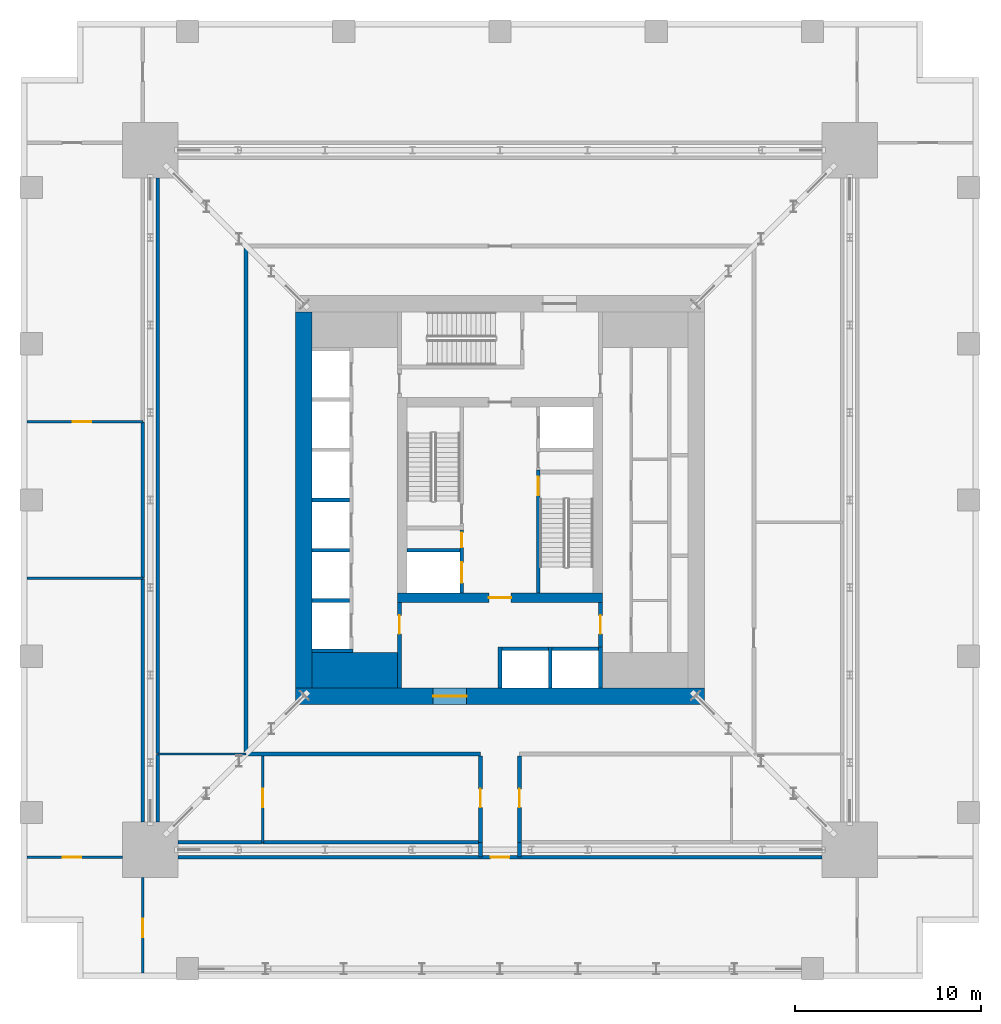
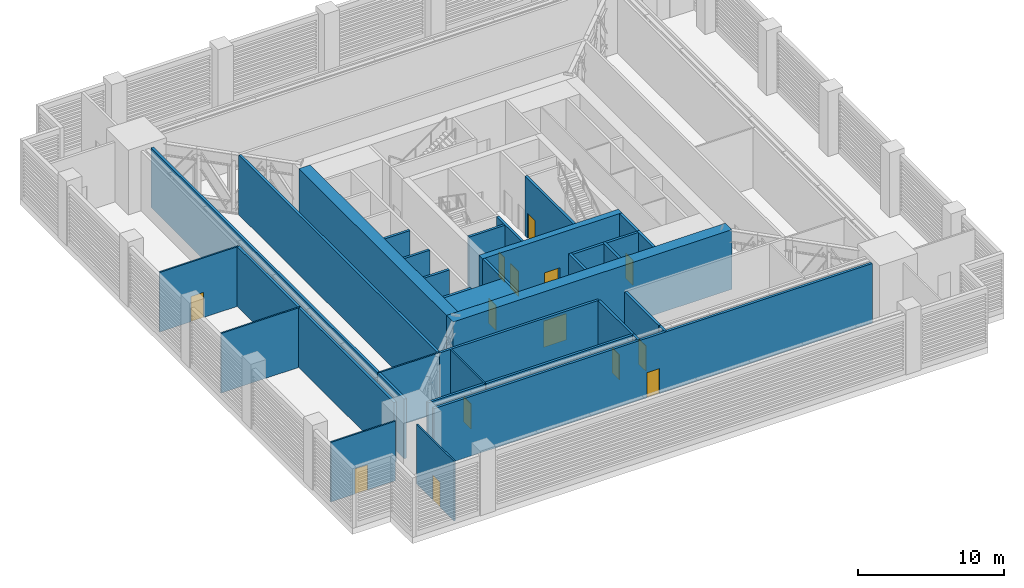
# One storey, part 9 of 17: 37 walls, 14 doors, 14 openings.
"""IFC4 building model written with IfcOpenShell, lengths in metres."""

from ifc_helpers import new_model, si_unit, direction, frame, frame_2d, origin, place, context, subcontext, project, spatial, rectangle, extrude, material, layer, layer_set, type_object, element, fill, save


model = new_model("IFC4")

# Units and contexts
model_context = context("Model", 3, precision=1e-05, world=origin(), true_north=direction((0.0, 1.0)))
body_context = subcontext(model_context, "Body", "Model", "MODEL_VIEW")
ifc_project = project(units=[si_unit("LENGTHUNIT", "METRE"), si_unit("AREAUNIT", "SQUARE_METRE"), si_unit("VOLUMEUNIT", "CUBIC_METRE"), si_unit("PLANEANGLEUNIT", "RADIAN"), si_unit("MASSUNIT", "GRAM", prefix="KILO")], contexts=[model_context])

# Site, building, storey
site_placement = place(None, origin())
site = spatial("IfcSite", under=ifc_project, at=site_placement, CompositionType="ELEMENT")
building_placement = place(site_placement, origin())
building = spatial("IfcBuilding", under=site, at=building_placement, Name="Khepri Terraces", CompositionType="ELEMENT")
storey_placement = place(building_placement, frame((0.0, 0.0, 73.800048828125)))
storey = spatial("IfcBuildingStorey", under=building, at=storey_placement, Name="L17", CompositionType="ELEMENT", Elevation=73.800048828125)

# Wall
ifc_material_1 = material(Name="Concrete C80/95", Category="concrete")
ifc_layer_1 = layer(ifc_material_1, 1.89990234375, Name="Concrete C80/95", Category="concrete")
ifc_layer_set_1 = layer_set([ifc_layer_1], Name="Concrete C80/95")
wall_type_1 = type_object("IfcWallType", Name="Core wall 1900 C80/95", PredefinedType="SHEAR", material=ifc_layer_set_1)
wall_1_placement = place(storey_placement, frame((-10.10009765625, -9.14990234375, 0.0), z_axis=(0.0, 0.0, 1.0), x_axis=(1.0, 0.0, 0.0)))
element("IfcWall", 1, at=wall_1_placement, inside=storey, type_object=wall_type_1, Name="Core wall PR01 L17", PredefinedType="SHEAR", context=body_context, shape_type="SweptSolid", body=[
    extrude(rectangle(XDim=4.60009765625, YDim=1.89990234375, at=frame_2d((2.300048828125, 0.0))), origin(), (0.0, 0.0, 1.0), 4.97998046875),
])

# Wall, opening, door
ifc_layer_2 = layer(ifc_material_1, 0.199951171875, Name="Concrete C80/95", Category="concrete")
ifc_layer_set_2 = layer_set([ifc_layer_2], Name="Concrete C80/95")
wall_type_2 = type_object("IfcWallType", Name="Core wall 200 C80/95", PredefinedType="SHEAR", material=ifc_layer_set_2)
wall_2_placement = place(storey_placement, frame((2.050048828125, -5.0, 0.0), z_axis=(0.0, 0.0, 1.0), x_axis=(0.0, 1.0, 0.0)))
wall_2 = element("IfcWall", 2, at=wall_2_placement, inside=storey, type_object=wall_type_2, Name="Core wall ST01 L17", PredefinedType="SHEAR", context=body_context, shape_type="SweptSolid", body=[
    extrude(rectangle(XDim=6.60009765625, YDim=0.199951171875, at=frame_2d((3.300048828125, 0.0))), origin(), (0.0, 0.0, 1.0), 4.97998046875),
])
opening_1_placement = place(wall_2_placement, frame((5.25, 0.0, 0.0)))
opening_1 = element("IfcOpeningElement", 3, at=opening_1_placement, cuts=wall_2, Name="Opening L17-C10", PredefinedType="OPENING", context=body_context, shape_type="SweptSolid", body=[
    extrude(rectangle(XDim=1.0, YDim=2.10009765625, at=frame_2d((0.5, 1.050048828125))), frame((0.0, 0.10986328125, 0.0), z_axis=(0.0, -1.0, 0.0), x_axis=(1.0, 0.0, 0.0)), (0.0, 0.0, 1.0), 0.219970703125),
])
ifc_material_2 = material(Name="Painted steel", Category="steel")
door_type_1 = type_object("IfcDoorType", Name="DR-CORE-STAIR-1000", OperationType="NOTDEFINED", PredefinedType="DOOR", material=ifc_material_2)
door_1_placement = place(opening_1_placement, frame((1.0, 0.0, 0.0), z_axis=(0.0, 0.0, 1.0), x_axis=(-1.0, 0.0, 0.0)))
door_1 = element("IfcDoor", 4, at=door_1_placement, inside=storey, type_object=door_type_1, Name="Stair door L17-C10", OperationType="SINGLE_SWING_LEFT", OverallHeight=2.10009765625, OverallWidth=1.0, PredefinedType="DOOR", context=body_context, shape_type="SweptSolid", body=[
    extrude(rectangle(XDim=1.0, YDim=2.10009765625, at=frame_2d((0.5, 1.050048828125))), frame((0.0, 0.02490234375, 0.0), z_axis=(0.0, -1.0, 0.0), x_axis=(1.0, 0.0, 0.0)), (0.0, 0.0, 1.0), 0.050048828125),
])
fill(opening_1, door_1)

# Walls
for number, where, z_axis, x_axis, name in (
    (5, (0.0, -10.10009765625, 0.0), (0.0, 0.0, 1.0), (0.0, 1.0, 0.0), "Core wall SH01 L17"),
    (6, (2.699951171875, -10.10009765625, 0.0), (0.0, 0.0, 1.0), (0.0, 1.0, 0.0), "Core wall SH02 L17"),
    (7, (5.39990234375, -10.10009765625, 0.0), (0.0, 0.0, 1.0), (0.0, 1.0, 0.0), "Core wall SH03 L17"),
    (8, (-10.10009765625, -8.10009765625, 0.0), (0.0, 0.0, 1.0), (1.0, 0.0, 0.0), "Core wall SH04 L17"),
):
    element("IfcWall", number, at=place(storey_placement, frame(where, z_axis=z_axis, x_axis=x_axis)), inside=storey, type_object=wall_type_2, Name=name, PredefinedType="SHEAR", context=body_context, shape_type="SweptSolid", body=[
        extrude(rectangle(XDim=2.2001953125, YDim=0.199951171875, at=frame_2d((1.10009765625, 0.0))), origin(), (0.0, 0.0, 1.0), 4.97998046875),
    ])
for number, where, z_axis, x_axis, name in (
    (9, (0.10009765625, -8.0, 0.0), (0.0, 0.0, 1.0), (1.0, 0.0, 0.0), "Core wall SH06 L17"),
    (10, (2.800048828125, -8.0, 0.0), (0.0, 0.0, 1.0), (1.0, 0.0, 0.0), "Core wall SH07 L17"),
):
    element("IfcWall", number, at=place(storey_placement, frame(where, z_axis=z_axis, x_axis=x_axis)), inside=storey, type_object=wall_type_2, Name=name, PredefinedType="SHEAR", context=body_context, shape_type="SweptSolid", body=[
        extrude(rectangle(XDim=2.5, YDim=0.199951171875, at=frame_2d((1.25, 0.0))), origin(), (0.0, 0.0, 1.0), 4.97998046875),
    ])
wall_3_placement = place(storey_placement, frame((-10.10009765625, -5.39990234375, 0.0), z_axis=(0.0, 0.0, 1.0), x_axis=(1.0, 0.0, 0.0)))
element("IfcWall", 11, at=wall_3_placement, inside=storey, type_object=wall_type_2, Name="Core wall SH09 L17", PredefinedType="SHEAR", context=body_context, shape_type="SweptSolid", body=[
    extrude(rectangle(XDim=2.0, YDim=0.199951171875, at=frame_2d((1.0, 0.0))), origin(), (0.0, 0.0, 1.0), 4.97998046875),
])

# Wall, openings, doors
wall_4_placement = place(storey_placement, frame((-2.050048828125, -5.0, 0.0), z_axis=(0.0, 0.0, 1.0), x_axis=(0.0, 1.0, 0.0)))
wall_4 = element("IfcWall", 12, at=wall_4_placement, inside=storey, type_object=wall_type_2, Name="Core wall SH10 L17", PredefinedType="SHEAR", context=body_context, shape_type="SweptSolid", body=[
    extrude(rectangle(XDim=3.39990234375, YDim=0.199951171875, at=frame_2d((1.699951171875, 0.0))), origin(), (0.0, 0.0, 1.0), 4.97998046875),
])
opening_2_placement = place(wall_4_placement, frame((0.550048828125, 0.0, 0.0)))
opening_2 = element("IfcOpeningElement", 13, at=opening_2_placement, cuts=wall_4, Name="Opening L17-C08", PredefinedType="OPENING", context=body_context, shape_type="SweptSolid", body=[
    extrude(rectangle(XDim=1.10009765625, YDim=2.10009765625, at=frame_2d((0.550048828125, 1.050048828125))), frame((0.0, 0.10986328125, 0.0), z_axis=(0.0, -1.0, 0.0), x_axis=(1.0, 0.0, 0.0)), (0.0, 0.0, 1.0), 0.219970703125),
])
opening_3_placement = place(wall_4_placement, frame((2.449951171875, 0.0, 0.0)))
opening_3 = element("IfcOpeningElement", 14, at=opening_3_placement, cuts=wall_4, Name="Opening L17-C12", PredefinedType="OPENING", context=body_context, shape_type="SweptSolid", body=[
    extrude(rectangle(XDim=0.800048828125, YDim=2.10009765625, at=frame_2d((0.39990234375, 1.050048828125))), frame((0.0, 0.10986328125, 0.0), z_axis=(0.0, -1.0, 0.0), x_axis=(1.0, 0.0, 0.0)), (0.0, 0.0, 1.0), 0.219970703125),
])
ifc_material_3 = material(Name="Stainless steel 304", Category="steel")
door_type_2 = type_object("IfcDoorType", Name="DR-CORE-FF-LANDING-1100", OperationType="NOTDEFINED", PredefinedType="DOOR", material=ifc_material_3)
door_2_placement = place(opening_2_placement, origin())
door_2 = element("IfcDoor", 15, at=door_2_placement, inside=storey, type_object=door_type_2, Name="Firefighting lift landing door L17-C08", OperationType="SLIDING_TO_LEFT", OverallHeight=2.10009765625, OverallWidth=1.10009765625, PredefinedType="DOOR", context=body_context, shape_type="SweptSolid", body=[
    extrude(rectangle(XDim=1.10009765625, YDim=2.10009765625, at=frame_2d((0.550048828125, 1.050048828125))), frame((0.0, 0.02490234375, 0.0), z_axis=(0.0, -1.0, 0.0), x_axis=(1.0, 0.0, 0.0)), (0.0, 0.0, 1.0), 0.050048828125),
])
fill(opening_2, door_2)
door_type_3 = type_object("IfcDoorType", Name="DR-CORE-RISER-800", OperationType="NOTDEFINED", PredefinedType="DOOR", material=ifc_material_2)
door_3_placement = place(opening_3_placement, origin())
door_3 = element("IfcDoor", 16, at=door_3_placement, inside=storey, type_object=door_type_3, Name="Riser door L17-C12", OperationType="SINGLE_SWING_RIGHT", OverallHeight=2.10009765625, OverallWidth=0.800048828125, PredefinedType="DOOR", context=body_context, shape_type="SweptSolid", body=[
    extrude(rectangle(XDim=0.800048828125, YDim=2.10009765625, at=frame_2d((0.39990234375, 1.050048828125))), frame((0.0, 0.02490234375, 0.0), z_axis=(0.0, -1.0, 0.0), x_axis=(1.0, 0.0, 0.0)), (0.0, 0.0, 1.0), 0.050048828125),
])
fill(opening_3, door_3)

# Walls
wall_5_placement = place(storey_placement, frame((-10.10009765625, -2.699951171875, 0.0), z_axis=(0.0, 0.0, 1.0), x_axis=(1.0, 0.0, 0.0)))
element("IfcWall", 17, at=wall_5_placement, inside=storey, type_object=wall_type_2, Name="Core wall SH12 L17", PredefinedType="SHEAR", context=body_context, shape_type="SweptSolid", body=[
    extrude(rectangle(XDim=2.0, YDim=0.199951171875, at=frame_2d((1.0, 0.0))), origin(), (0.0, 0.0, 1.0), 4.97998046875),
])
wall_6_placement = place(storey_placement, frame((-5.0, -2.699951171875, 0.0), z_axis=(0.0, 0.0, 1.0), x_axis=(1.0, 0.0, 0.0)))
element("IfcWall", 18, at=wall_6_placement, inside=storey, type_object=wall_type_2, Name="Core wall SH13 L17", PredefinedType="SHEAR", context=body_context, shape_type="SweptSolid", body=[
    extrude(rectangle(XDim=2.85009765625, YDim=0.199951171875, at=frame_2d((1.425048828125, 0.0))), origin(), (0.0, 0.0, 1.0), 4.97998046875),
])
wall_7_placement = place(storey_placement, frame((-10.10009765625, 0.0, 0.0), z_axis=(0.0, 0.0, 1.0), x_axis=(1.0, 0.0, 0.0)))
element("IfcWall", 19, at=wall_7_placement, inside=storey, type_object=wall_type_2, Name="Core wall SH14 L17", PredefinedType="SHEAR", context=body_context, shape_type="SweptSolid", body=[
    extrude(rectangle(XDim=2.0, YDim=0.199951171875, at=frame_2d((1.0, 0.0))), origin(), (0.0, 0.0, 1.0), 4.97998046875),
])

# Wall, opening, door
ifc_layer_3 = layer(ifc_material_1, 0.5, Name="Concrete C80/95", Category="concrete")
ifc_layer_set_3 = layer_set([ifc_layer_3], Name="Concrete C80/95")
wall_type_3 = type_object("IfcWallType", Name="Core wall 500 C80/95", PredefinedType="SHEAR", material=ifc_layer_set_3)
wall_8_placement = place(storey_placement, frame((-5.5, -5.25, 0.0), z_axis=(0.0, 0.0, 1.0), x_axis=(1.0, 0.0, 0.0)))
wall_8 = element("IfcWall", 20, at=wall_8_placement, inside=storey, type_object=wall_type_3, Name="Core wall BX01 L17", PredefinedType="SHEAR", context=body_context, shape_type="SweptSolid", body=[
    extrude(rectangle(XDim=11.0, YDim=0.5, at=frame_2d((5.5, 0.0))), origin(), (0.0, 0.0, 1.0), 4.97998046875),
])
opening_4_placement = place(wall_8_placement, frame((4.89990234375, 0.0, 0.0)))
opening_4 = element("IfcOpeningElement", 21, at=opening_4_placement, cuts=wall_8, Name="Opening L17-C14", PredefinedType="OPENING", context=body_context, shape_type="SweptSolid", body=[
    extrude(rectangle(XDim=1.199951171875, YDim=2.10009765625, at=frame_2d((0.60009765625, 1.050048828125))), frame((0.0, 0.260009765625, 0.0), z_axis=(0.0, -1.0, 0.0), x_axis=(1.0, 0.0, 0.0)), (0.0, 0.0, 1.0), 0.52001953125),
])
door_type_4 = type_object("IfcDoorType", Name="DR-CORE-FF-LOBBY-1200", OperationType="NOTDEFINED", PredefinedType="DOOR", material=ifc_material_2)
door_4_placement = place(opening_4_placement, origin())
door_4 = element("IfcDoor", 22, at=door_4_placement, inside=storey, type_object=door_type_4, Name="Firefighting lobby door L17-C14", OperationType="SINGLE_SWING_RIGHT", OverallHeight=2.10009765625, OverallWidth=1.199951171875, PredefinedType="DOOR", context=body_context, shape_type="SweptSolid", body=[
    extrude(rectangle(XDim=1.199951171875, YDim=2.10009765625, at=frame_2d((0.60009765625, 1.050048828125))), frame((0.0, 0.02490234375, 0.0), z_axis=(0.0, -1.0, 0.0), x_axis=(1.0, 0.0, 0.0)), (0.0, 0.0, 1.0), 0.050048828125),
])
fill(opening_4, door_4)

ifc_layer_4 = layer(ifc_material_1, 0.89990234375, Name="Concrete C80/95", Category="concrete")
ifc_layer_set_4 = layer_set([ifc_layer_4], Name="Concrete C80/95")
wall_type_4 = type_object("IfcWallType", Name="Core wall 900 C80/95", PredefinedType="SHEAR", material=ifc_layer_set_4)
wall_9_placement = place(storey_placement, frame((-11.0, -10.550048828125, 0.0), z_axis=(0.0, 0.0, 1.0), x_axis=(1.0, 0.0, 0.0)))
wall_9 = element("IfcWall", 23, at=wall_9_placement, inside=storey, type_object=wall_type_4, Name="Core wall OW-S L17", PredefinedType="SHEAR", context=body_context, shape_type="SweptSolid", body=[
    extrude(rectangle(XDim=22.0, YDim=0.89990234375, at=frame_2d((11.0, 0.0))), origin(), (0.0, 0.0, 1.0), 4.97998046875),
])
opening_5_placement = place(wall_9_placement, frame((7.39990234375, 0.0, 0.0)))
opening_5 = element("IfcOpeningElement", 24, at=opening_5_placement, cuts=wall_9, Name="Opening L17-C21", PredefinedType="OPENING", context=body_context, shape_type="SweptSolid", body=[
    extrude(rectangle(XDim=1.800048828125, YDim=2.199951171875, at=frame_2d((0.89990234375, 1.10009765625))), frame((0.0, 0.4599609375, 0.0), z_axis=(0.0, -1.0, 0.0), x_axis=(1.0, 0.0, 0.0)), (0.0, 0.0, 1.0), 0.919921875),
])
door_type_5 = type_object("IfcDoorType", Name="DR-CORE-ENTRANCE-1800", OperationType="NOTDEFINED", PredefinedType="DOOR", material=ifc_material_2)
door_5_placement = place(opening_5_placement, frame((1.800048828125, 0.0, 0.0), z_axis=(0.0, 0.0, 1.0), x_axis=(-1.0, 0.0, 0.0)))
door_5 = element("IfcDoor", 25, at=door_5_placement, inside=storey, type_object=door_type_5, Name="Core entrance door pair L17-C21", OperationType="DOUBLE_DOOR_SINGLE_SWING", OverallHeight=2.199951171875, OverallWidth=1.800048828125, PredefinedType="DOOR", context=body_context, shape_type="SweptSolid", body=[
    extrude(rectangle(XDim=1.800048828125, YDim=2.199951171875, at=frame_2d((0.89990234375, 1.10009765625))), frame((0.0, 0.02490234375, 0.0), z_axis=(0.0, -1.0, 0.0), x_axis=(1.0, 0.0, 0.0)), (0.0, 0.0, 1.0), 0.050048828125),
])
fill(opening_5, door_5)

# Wall
wall_10_placement = place(storey_placement, frame((-10.550048828125, -10.10009765625, 0.0), z_axis=(0.0, 0.0, 1.0), x_axis=(0.0, 1.0, 0.0)))
element("IfcWall", 26, at=wall_10_placement, inside=storey, type_object=wall_type_4, Name="Core wall OW-W L17", PredefinedType="SHEAR", context=body_context, shape_type="SweptSolid", body=[
    extrude(rectangle(XDim=20.2001953125, YDim=0.89990234375, at=frame_2d((10.10009765625, 0.0))), origin(), (0.0, 0.0, 1.0), 4.97998046875),
])

# Wall, opening, door
ifc_material_4 = material(Name="Fire-rated gypsum board partition")
ifc_layer_5 = layer(ifc_material_4, 0.199951171875, Name="Fire-rated gypsum board partition")
ifc_layer_set_5 = layer_set([ifc_layer_5], Name="Fire-rated gypsum board partition")
wall_type_5 = type_object("IfcWallType", Name="WL-CORE-PART-200", PredefinedType="PARTITIONING", material=ifc_layer_set_5)
wall_11_placement = place(storey_placement, frame((-5.39990234375, -10.10009765625, 0.0), z_axis=(0.0, 0.0, 1.0), x_axis=(0.0, 1.0, 0.0)))
wall_11 = element("IfcWall", 27, at=wall_11_placement, inside=storey, type_object=wall_type_5, Name="Core partition PT01 L17", PredefinedType="PARTITIONING", context=body_context, shape_type="SweptSolid", body=[
    extrude(rectangle(XDim=4.60009765625, YDim=0.199951171875, at=frame_2d((2.300048828125, 0.0))), origin(), (0.0, 0.0, 1.0), 4.97998046875),
])
opening_6_placement = place(wall_11_placement, frame((2.89990234375, 0.0, 0.0)))
opening_6 = element("IfcOpeningElement", 28, at=opening_6_placement, cuts=wall_11, Name="Opening L17-C18", PredefinedType="OPENING", context=body_context, shape_type="SweptSolid", body=[
    extrude(rectangle(XDim=1.0, YDim=2.10009765625, at=frame_2d((0.5, 1.050048828125))), frame((0.0, 0.10986328125, 0.0), z_axis=(0.0, -1.0, 0.0), x_axis=(1.0, 0.0, 0.0)), (0.0, 0.0, 1.0), 0.219970703125),
])
door_type_6 = type_object("IfcDoorType", Name="DR-CORE-LOBBY-1000", OperationType="NOTDEFINED", PredefinedType="DOOR", material=ifc_material_2)
door_6_placement = place(opening_6_placement, frame((1.0, 0.0, 0.0), z_axis=(0.0, 0.0, 1.0), x_axis=(-1.0, 0.0, 0.0)))
door_6 = element("IfcDoor", 29, at=door_6_placement, inside=storey, type_object=door_type_6, Name="Lobby door L17-C18", OperationType="SINGLE_SWING_LEFT", OverallHeight=2.10009765625, OverallWidth=1.0, PredefinedType="DOOR", context=body_context, shape_type="SweptSolid", body=[
    extrude(rectangle(XDim=1.0, YDim=2.10009765625, at=frame_2d((0.5, 1.050048828125))), frame((0.0, 0.02490234375, 0.0), z_axis=(0.0, -1.0, 0.0), x_axis=(1.0, 0.0, 0.0)), (0.0, 0.0, 1.0), 0.050048828125),
])
fill(opening_6, door_6)

wall_12_placement = place(storey_placement, frame((5.39990234375, -7.89990234375, 0.0), z_axis=(0.0, 0.0, 1.0), x_axis=(0.0, 1.0, 0.0)))
wall_12 = element("IfcWall", 30, at=wall_12_placement, inside=storey, type_object=wall_type_5, Name="Core partition PT03 L17", PredefinedType="PARTITIONING", context=body_context, shape_type="SweptSolid", body=[
    extrude(rectangle(XDim=2.39990234375, YDim=0.199951171875, at=frame_2d((1.199951171875, 0.0))), origin(), (0.0, 0.0, 1.0), 4.97998046875),
])
opening_7_placement = place(wall_12_placement, frame((0.699951171875, 0.0, 0.0)))
opening_7 = element("IfcOpeningElement", 31, at=opening_7_placement, cuts=wall_12, Name="Opening L17-C19", PredefinedType="OPENING", context=body_context, shape_type="SweptSolid", body=[
    extrude(rectangle(XDim=1.0, YDim=2.10009765625, at=frame_2d((0.5, 1.050048828125))), frame((0.0, 0.10986328125, 0.0), z_axis=(0.0, -1.0, 0.0), x_axis=(1.0, 0.0, 0.0)), (0.0, 0.0, 1.0), 0.219970703125),
])
door_7_placement = place(opening_7_placement, origin())
door_7 = element("IfcDoor", 32, at=door_7_placement, inside=storey, type_object=door_type_6, Name="Lobby door L17-C19", OperationType="SINGLE_SWING_RIGHT", OverallHeight=2.10009765625, OverallWidth=1.0, PredefinedType="DOOR", context=body_context, shape_type="SweptSolid", body=[
    extrude(rectangle(XDim=1.0, YDim=2.10009765625, at=frame_2d((0.5, 1.050048828125))), frame((0.0, 0.02490234375, 0.0), z_axis=(0.0, -1.0, 0.0), x_axis=(1.0, 0.0, 0.0)), (0.0, 0.0, 1.0), 0.050048828125),
])
fill(opening_7, door_7)

ifc_material_5 = material(Name="Fire-rated gypsum plasterboard partition, mineral wool")
ifc_layer_6 = layer(ifc_material_5, 0.199951171875, Name="Fire-rated gypsum plasterboard partition, mineral wool")
ifc_layer_set_6 = layer_set([ifc_layer_6], Name="Fire-rated gypsum plasterboard partition, mineral wool")
wall_type_6 = type_object("IfcWallType", Name="WL-CORR-200", PredefinedType="PARTITIONING", material=ifc_layer_set_6)
wall_13_placement = place(storey_placement, frame((-17.300048828125, -19.199951171875, 0.0), z_axis=(0.0, 0.0, 1.0), x_axis=(1.0, 0.0, 0.0)))
wall_13 = element("IfcWall", 33, at=wall_13_placement, inside=storey, type_object=wall_type_6, Name="Partition P-004 L17", PredefinedType="PARTITIONING", context=body_context, shape_type="SweptSolid", body=[
    extrude(rectangle(XDim=34.60009765625, YDim=0.199951171875, at=frame_2d((17.300048828125, 0.0))), origin(), (0.0, 0.0, 1.0), 4.97998046875),
])
opening_8_placement = place(wall_13_placement, frame((16.800048828125, 0.0, 0.0)))
opening_8 = element("IfcOpeningElement", 34, at=opening_8_placement, cuts=wall_13, Name="Opening D5", PredefinedType="OPENING", context=body_context, shape_type="SweptSolid", body=[
    extrude(rectangle(XDim=1.0, YDim=2.10009765625, at=frame_2d((0.5, 1.050048828125))), frame((0.0, 0.10986328125, 0.0), z_axis=(0.0, -1.0, 0.0), x_axis=(1.0, 0.0, 0.0)), (0.0, 0.0, 1.0), 0.219970703125),
])
ifc_material_6 = material(Name="Painted galvanised door leaf, plant room")
door_type_7 = type_object("IfcDoorType", Name="DR-SRV-1000", OperationType="NOTDEFINED", PredefinedType="DOOR", material=ifc_material_6)
door_8_placement = place(opening_8_placement, frame((1.0, 0.0, 0.0), z_axis=(0.0, 0.0, 1.0), x_axis=(-1.0, 0.0, 0.0)))
door_8 = element("IfcDoor", 35, at=door_8_placement, inside=storey, type_object=door_type_7, Name="Door Chiller Plant Hall", OperationType="SINGLE_SWING_LEFT", OverallHeight=2.10009765625, OverallWidth=1.0, PredefinedType="DOOR", context=body_context, shape_type="SweptSolid", body=[
    extrude(rectangle(XDim=1.0, YDim=2.10009765625, at=frame_2d((0.5, 1.050048828125))), frame((0.0, 0.02490234375, 0.0), z_axis=(0.0, -1.0, 0.0), x_axis=(1.0, 0.0, 0.0)), (0.0, 0.0, 1.0), 0.050048828125),
])
fill(opening_8, door_8)

# Walls
for number, where, z_axis, x_axis, name in (
    (36, (-1.050048828125, -19.179931640625, 0.0), (0.0, 0.0, 1.0), (0.0, 1.0, 0.0), "Partition P-006 L17"),
    (37, (1.050048828125, -19.179931640625, 0.0), (0.0, 0.0, 1.0), (0.0, 1.0, 0.0), "Partition P-007 L17"),
):
    element("IfcWall", number, at=place(storey_placement, frame(where, z_axis=z_axis, x_axis=x_axis)), inside=storey, type_object=wall_type_6, Name=name, PredefinedType="PARTITIONING", context=body_context, shape_type="SweptSolid", body=[
        extrude(rectangle(XDim=0.760009765625, YDim=0.199951171875, at=frame_2d((0.3798828125, 0.0))), origin(), (0.0, 0.0, 1.0), 4.97998046875),
    ])
wall_14_placement = place(storey_placement, frame((-17.300048828125, -18.39990234375, 0.0), z_axis=(0.0, 0.0, 1.0), x_axis=(1.0, 0.0, 0.0)))
element("IfcWall", 38, at=wall_14_placement, inside=storey, type_object=wall_type_6, Name="Partition P-008 L17", PredefinedType="PARTITIONING", context=body_context, shape_type="SweptSolid", body=[
    extrude(rectangle(XDim=4.530029296875, YDim=0.199951171875, at=frame_2d((2.26513671875, 0.0))), origin(), (0.0, 0.0, 1.0), 4.97998046875),
])
wall_15_placement = place(storey_placement, frame((-12.72998046875, -18.39990234375, 0.0), z_axis=(0.0, 0.0, 1.0), x_axis=(1.0, 0.0, 0.0)))
element("IfcWall", 39, at=wall_15_placement, inside=storey, type_object=wall_type_6, Name="Partition P-010 L17", PredefinedType="PARTITIONING", context=body_context, shape_type="SweptSolid", body=[
    extrude(rectangle(XDim=11.659912109375, YDim=0.199951171875, at=frame_2d((5.830078125, 0.0))), origin(), (0.0, 0.0, 1.0), 4.97998046875),
])

# Wall, opening, door
wall_16_placement = place(storey_placement, frame((-1.050048828125, -18.39990234375, 0.0), z_axis=(0.0, 0.0, 1.0), x_axis=(0.0, 1.0, 0.0)))
wall_16 = element("IfcWall", 40, at=wall_16_placement, inside=storey, type_object=wall_type_6, Name="Partition P-011 L17", PredefinedType="PARTITIONING", context=body_context, shape_type="SweptSolid", body=[
    extrude(rectangle(XDim=4.64990234375, YDim=0.199951171875, at=frame_2d((2.324951171875, 0.0))), origin(), (0.0, 0.0, 1.0), 4.97998046875),
])
opening_9_placement = place(wall_16_placement, frame((1.875, 0.0, 0.0)))
opening_9 = element("IfcOpeningElement", 41, at=opening_9_placement, cuts=wall_16, Name="Opening D5", PredefinedType="OPENING", context=body_context, shape_type="SweptSolid", body=[
    extrude(rectangle(XDim=1.0, YDim=2.10009765625, at=frame_2d((0.5, 1.050048828125))), frame((0.0, 0.10986328125, 0.0), z_axis=(0.0, -1.0, 0.0), x_axis=(1.0, 0.0, 0.0)), (0.0, 0.0, 1.0), 0.219970703125),
])
door_9_placement = place(opening_9_placement, origin())
door_9 = element("IfcDoor", 42, at=door_9_placement, inside=storey, type_object=door_type_7, Name="Door Air Handling Plant Room", OperationType="SINGLE_SWING_RIGHT", OverallHeight=2.10009765625, OverallWidth=1.0, PredefinedType="DOOR", context=body_context, shape_type="SweptSolid", body=[
    extrude(rectangle(XDim=1.0, YDim=2.10009765625, at=frame_2d((0.5, 1.050048828125))), frame((0.0, 0.02490234375, 0.0), z_axis=(0.0, -1.0, 0.0), x_axis=(1.0, 0.0, 0.0)), (0.0, 0.0, 1.0), 0.050048828125),
])
fill(opening_9, door_9)

wall_17_placement = place(storey_placement, frame((1.050048828125, -18.39990234375, 0.0), z_axis=(0.0, 0.0, 1.0), x_axis=(0.0, 1.0, 0.0)))
wall_17 = element("IfcWall", 43, at=wall_17_placement, inside=storey, type_object=wall_type_6, Name="Partition P-012 L17", PredefinedType="PARTITIONING", context=body_context, shape_type="SweptSolid", body=[
    extrude(rectangle(XDim=4.64990234375, YDim=0.199951171875, at=frame_2d((2.324951171875, 0.0))), origin(), (0.0, 0.0, 1.0), 4.97998046875),
])
opening_10_placement = place(wall_17_placement, frame((1.875, 0.0, 0.0)))
opening_10 = element("IfcOpeningElement", 44, at=opening_10_placement, cuts=wall_17, Name="Opening D5", PredefinedType="OPENING", context=body_context, shape_type="SweptSolid", body=[
    extrude(rectangle(XDim=1.0, YDim=2.10009765625, at=frame_2d((0.5, 1.050048828125))), frame((0.0, 0.10986328125, 0.0), z_axis=(0.0, -1.0, 0.0), x_axis=(1.0, 0.0, 0.0)), (0.0, 0.0, 1.0), 0.219970703125),
])
door_10_placement = place(opening_10_placement, frame((1.0, 0.0, 0.0), z_axis=(0.0, 0.0, 1.0), x_axis=(-1.0, 0.0, 0.0)))
door_10 = element("IfcDoor", 45, at=door_10_placement, inside=storey, type_object=door_type_7, Name="Door Pump Room", OperationType="SINGLE_SWING_LEFT", OverallHeight=2.10009765625, OverallWidth=1.0, PredefinedType="DOOR", context=body_context, shape_type="SweptSolid", body=[
    extrude(rectangle(XDim=1.0, YDim=2.10009765625, at=frame_2d((0.5, 1.050048828125))), frame((0.0, 0.02490234375, 0.0), z_axis=(0.0, -1.0, 0.0), x_axis=(1.0, 0.0, 0.0)), (0.0, 0.0, 1.0), 0.050048828125),
])
fill(opening_10, door_10)

# Walls
wall_18_placement = place(storey_placement, frame((-19.199951171875, -17.300048828125, 0.0), z_axis=(0.0, 0.0, 1.0), x_axis=(0.0, 1.0, 0.0)))
element("IfcWall", 46, at=wall_18_placement, inside=storey, type_object=wall_type_6, Name="Partition P-016 L17", PredefinedType="PARTITIONING", context=body_context, shape_type="SweptSolid", body=[
    extrude(rectangle(XDim=13.080078125, YDim=0.199951171875, at=frame_2d((6.5400390625, 0.0))), origin(), (0.0, 0.0, 1.0), 4.97998046875),
])
wall_19_placement = place(storey_placement, frame((-18.39990234375, -17.300048828125, 0.0), z_axis=(0.0, 0.0, 1.0), x_axis=(0.0, 1.0, 0.0)))
element("IfcWall", 47, at=wall_19_placement, inside=storey, type_object=wall_type_6, Name="Partition P-017 L17", PredefinedType="PARTITIONING", context=body_context, shape_type="SweptSolid", body=[
    extrude(rectangle(XDim=3.630126953125, YDim=0.199951171875, at=frame_2d((1.81494140625, 0.0))), origin(), (0.0, 0.0, 1.0), 4.97998046875),
])
wall_20_placement = place(storey_placement, frame((-13.64990234375, -13.64990234375, 0.0), z_axis=(0.0, 0.0, 1.0), x_axis=(1.0, 0.0, 0.0)))
element("IfcWall", 48, at=wall_20_placement, inside=storey, type_object=wall_type_6, Name="Partition P-021 L17", PredefinedType="PARTITIONING", context=body_context, shape_type="SweptSolid", body=[
    extrude(rectangle(XDim=12.599853515625, YDim=0.199951171875, at=frame_2d((6.2998046875, 0.0))), origin(), (0.0, 0.0, 1.0), 4.97998046875),
])
wall_21_placement = place(storey_placement, frame((-18.39990234375, -13.6298828125, 0.0), z_axis=(0.0, 0.0, 1.0), x_axis=(0.0, 1.0, 0.0)))
element("IfcWall", 49, at=wall_21_placement, inside=storey, type_object=wall_type_6, Name="Partition P-024 L17", PredefinedType="PARTITIONING", context=body_context, shape_type="SweptSolid", body=[
    extrude(rectangle(XDim=30.929931640625, YDim=0.199951171875, at=frame_2d((15.46484375, 0.0))), origin(), (0.0, 0.0, 1.0), 4.97998046875),
])
wall_22_placement = place(storey_placement, frame((-13.64990234375, -13.550048828125, 0.0), z_axis=(0.0, 0.0, 1.0), x_axis=(0.0, 1.0, 0.0)))
element("IfcWall", 50, at=wall_22_placement, inside=storey, type_object=wall_type_6, Name="Partition P-026 L17", PredefinedType="PARTITIONING", context=body_context, shape_type="SweptSolid", body=[
    extrude(rectangle(XDim=27.10009765625, YDim=0.199951171875, at=frame_2d((13.550048828125, 0.0))), origin(), (0.0, 0.0, 1.0), 4.97998046875),
])
wall_23_placement = place(storey_placement, frame((-19.199951171875, -4.179931640625, 0.0), z_axis=(0.0, 0.0, 1.0), x_axis=(0.0, 1.0, 0.0)))
element("IfcWall", 51, at=wall_23_placement, inside=storey, type_object=wall_type_6, Name="Partition P-029 L17", PredefinedType="PARTITIONING", context=body_context, shape_type="SweptSolid", body=[
    extrude(rectangle(XDim=8.35986328125, YDim=0.199951171875, at=frame_2d((4.179931640625, 0.0))), origin(), (0.0, 0.0, 1.0), 4.97998046875),
])

# Wall, opening, door
ifc_material_7 = material(Name="Gypsum plasterboard partition")
ifc_layer_7 = layer(ifc_material_7, 0.1201171875, Name="Gypsum plasterboard partition")
ifc_layer_set_7 = layer_set([ifc_layer_7], Name="Gypsum plasterboard partition")
wall_type_7 = type_object("IfcWallType", Name="WL-PART-120", PredefinedType="PARTITIONING", material=ifc_layer_set_7)
wall_24_placement = place(storey_placement, frame((-19.199951171875, -25.419921875, 0.0), z_axis=(0.0, 0.0, 1.0), x_axis=(0.0, 1.0, 0.0)))
wall_24 = element("IfcWall", 52, at=wall_24_placement, inside=storey, type_object=wall_type_7, Name="Partition P-001 L17", PredefinedType="PARTITIONING", context=body_context, shape_type="SweptSolid", body=[
    extrude(rectangle(XDim=5.119873046875, YDim=0.1201171875, at=frame_2d((2.56005859375, 0.0))), origin(), (0.0, 0.0, 1.0), 4.97998046875),
])
opening_11_placement = place(wall_24_placement, frame((1.909912109375, 0.0, 0.0)))
opening_11 = element("IfcOpeningElement", 53, at=opening_11_placement, cuts=wall_24, Name="Opening D2", PredefinedType="OPENING", context=body_context, shape_type="SweptSolid", body=[
    extrude(rectangle(XDim=1.0, YDim=2.10009765625, at=frame_2d((0.5, 1.050048828125))), frame((0.0, 0.070068359375, 0.0), z_axis=(0.0, -1.0, 0.0), x_axis=(1.0, 0.0, 0.0)), (0.0, 0.0, 1.0), 0.14013671875),
])
ifc_material_8 = material(Name="Timber door leaf, living room door", Category="wood")
door_type_8 = type_object("IfcDoorType", Name="DR-INT-1000", OperationType="NOTDEFINED", PredefinedType="DOOR", material=ifc_material_8)
door_11_placement = place(opening_11_placement, origin())
door_11 = element("IfcDoor", 54, at=door_11_placement, inside=storey, type_object=door_type_8, Name="Door Transformer Room", OperationType="SINGLE_SWING_LEFT", OverallHeight=2.10009765625, OverallWidth=1.0, PredefinedType="DOOR", context=body_context, shape_type="SweptSolid", body=[
    extrude(rectangle(XDim=1.0, YDim=2.10009765625, at=frame_2d((0.5, 1.050048828125))), frame((0.0, 0.02490234375, 0.0), z_axis=(0.0, -1.0, 0.0), x_axis=(1.0, 0.0, 0.0)), (0.0, 0.0, 1.0), 0.050048828125),
])
fill(opening_11, door_11)

wall_25_placement = place(storey_placement, frame((-25.419921875, -19.199951171875, 0.0), z_axis=(0.0, 0.0, 1.0), x_axis=(1.0, 0.0, 0.0)))
wall_25 = element("IfcWall", 55, at=wall_25_placement, inside=storey, type_object=wall_type_7, Name="Partition P-003 L17", PredefinedType="PARTITIONING", context=body_context, shape_type="SweptSolid", body=[
    extrude(rectangle(XDim=5.119873046875, YDim=0.1201171875, at=frame_2d((2.56005859375, 0.0))), origin(), (0.0, 0.0, 1.0), 4.97998046875),
])
opening_12_placement = place(wall_25_placement, frame((1.909912109375, 0.0, 0.0)))
opening_12 = element("IfcOpeningElement", 56, at=opening_12_placement, cuts=wall_25, Name="Opening D2", PredefinedType="OPENING", context=body_context, shape_type="SweptSolid", body=[
    extrude(rectangle(XDim=1.0, YDim=2.10009765625, at=frame_2d((0.5, 1.050048828125))), frame((0.0, 0.070068359375, 0.0), z_axis=(0.0, -1.0, 0.0), x_axis=(1.0, 0.0, 0.0)), (0.0, 0.0, 1.0), 0.14013671875),
])
door_12_placement = place(opening_12_placement, origin())
door_12 = element("IfcDoor", 57, at=door_12_placement, inside=storey, type_object=door_type_8, Name="Door Boiler Plant Room", OperationType="SINGLE_SWING_LEFT", OverallHeight=2.10009765625, OverallWidth=1.0, PredefinedType="DOOR", context=body_context, shape_type="SweptSolid", body=[
    extrude(rectangle(XDim=1.0, YDim=2.10009765625, at=frame_2d((0.5, 1.050048828125))), frame((0.0, 0.02490234375, 0.0), z_axis=(0.0, -1.0, 0.0), x_axis=(1.0, 0.0, 0.0)), (0.0, 0.0, 1.0), 0.050048828125),
])
fill(opening_12, door_12)

wall_26_placement = place(storey_placement, frame((-12.75, -18.39990234375, 0.0), z_axis=(0.0, 0.0, 1.0), x_axis=(0.0, 1.0, 0.0)))
wall_26 = element("IfcWall", 58, at=wall_26_placement, inside=storey, type_object=wall_type_7, Name="Partition P-009 L17", PredefinedType="PARTITIONING", context=body_context, shape_type="SweptSolid", body=[
    extrude(rectangle(XDim=4.64990234375, YDim=0.1201171875, at=frame_2d((2.324951171875, 0.0))), origin(), (0.0, 0.0, 1.0), 4.97998046875),
])
opening_13_placement = place(wall_26_placement, frame((1.875, 0.0, 0.0)))
opening_13 = element("IfcOpeningElement", 59, at=opening_13_placement, cuts=wall_26, Name="Opening D2", PredefinedType="OPENING", context=body_context, shape_type="SweptSolid", body=[
    extrude(rectangle(XDim=1.0, YDim=2.10009765625, at=frame_2d((0.5, 1.050048828125))), frame((0.0, 0.070068359375, 0.0), z_axis=(0.0, -1.0, 0.0), x_axis=(1.0, 0.0, 0.0)), (0.0, 0.0, 1.0), 0.14013671875),
])
door_13_placement = place(opening_13_placement, origin())
door_13 = element("IfcDoor", 60, at=door_13_placement, inside=storey, type_object=door_type_8, Name="Door Generator Room", OperationType="SINGLE_SWING_RIGHT", OverallHeight=2.10009765625, OverallWidth=1.0, PredefinedType="DOOR", context=body_context, shape_type="SweptSolid", body=[
    extrude(rectangle(XDim=1.0, YDim=2.10009765625, at=frame_2d((0.5, 1.050048828125))), frame((0.0, 0.02490234375, 0.0), z_axis=(0.0, -1.0, 0.0), x_axis=(1.0, 0.0, 0.0)), (0.0, 0.0, 1.0), 0.050048828125),
])
fill(opening_13, door_13)

# Walls
wall_27_placement = place(storey_placement, frame((-18.39990234375, -13.64990234375, 0.0), z_axis=(0.0, 0.0, 1.0), x_axis=(1.0, 0.0, 0.0)))
element("IfcWall", 61, at=wall_27_placement, inside=storey, type_object=wall_type_7, Name="Partition P-020 L17", PredefinedType="PARTITIONING", context=body_context, shape_type="SweptSolid", body=[
    extrude(rectangle(XDim=4.75, YDim=0.1201171875, at=frame_2d((2.375, 0.0))), origin(), (0.0, 0.0, 1.0), 4.97998046875),
])
wall_28_placement = place(storey_placement, frame((-25.419921875, -4.199951171875, 0.0), z_axis=(0.0, 0.0, 1.0), x_axis=(1.0, 0.0, 0.0)))
element("IfcWall", 62, at=wall_28_placement, inside=storey, type_object=wall_type_7, Name="Partition P-028 L17", PredefinedType="PARTITIONING", context=body_context, shape_type="SweptSolid", body=[
    extrude(rectangle(XDim=6.219970703125, YDim=0.1201171875, at=frame_2d((3.10986328125, 0.0))), origin(), (0.0, 0.0, 1.0), 4.97998046875),
])

# Wall, opening, door
wall_29_placement = place(storey_placement, frame((-25.419921875, 4.199951171875, 0.0), z_axis=(0.0, 0.0, 1.0), x_axis=(1.0, 0.0, 0.0)))
wall_29 = element("IfcWall", 63, at=wall_29_placement, inside=storey, type_object=wall_type_7, Name="Partition P-032 L17", PredefinedType="PARTITIONING", context=body_context, shape_type="SweptSolid", body=[
    extrude(rectangle(XDim=6.219970703125, YDim=0.1201171875, at=frame_2d((3.10986328125, 0.0))), origin(), (0.0, 0.0, 1.0), 4.97998046875),
])
opening_14_placement = place(wall_29_placement, frame((2.4599609375, 0.0, 0.0)))
opening_14 = element("IfcOpeningElement", 64, at=opening_14_placement, cuts=wall_29, Name="Opening D2", PredefinedType="OPENING", context=body_context, shape_type="SweptSolid", body=[
    extrude(rectangle(XDim=1.0, YDim=2.10009765625, at=frame_2d((0.5, 1.050048828125))), frame((0.0, 0.070068359375, 0.0), z_axis=(0.0, -1.0, 0.0), x_axis=(1.0, 0.0, 0.0)), (0.0, 0.0, 1.0), 0.14013671875),
])
door_14_placement = place(opening_14_placement, frame((1.0, 0.0, 0.0), z_axis=(0.0, 0.0, 1.0), x_axis=(-1.0, 0.0, 0.0)))
door_14 = element("IfcDoor", 65, at=door_14_placement, inside=storey, type_object=door_type_8, Name="Door Sprinkler Valve Room", OperationType="SINGLE_SWING_RIGHT", OverallHeight=2.10009765625, OverallWidth=1.0, PredefinedType="DOOR", context=body_context, shape_type="SweptSolid", body=[
    extrude(rectangle(XDim=1.0, YDim=2.10009765625, at=frame_2d((0.5, 1.050048828125))), frame((0.0, 0.02490234375, 0.0), z_axis=(0.0, -1.0, 0.0), x_axis=(1.0, 0.0, 0.0)), (0.0, 0.0, 1.0), 0.050048828125),
])
fill(opening_14, door_14)

save(model, "model.ifc")
